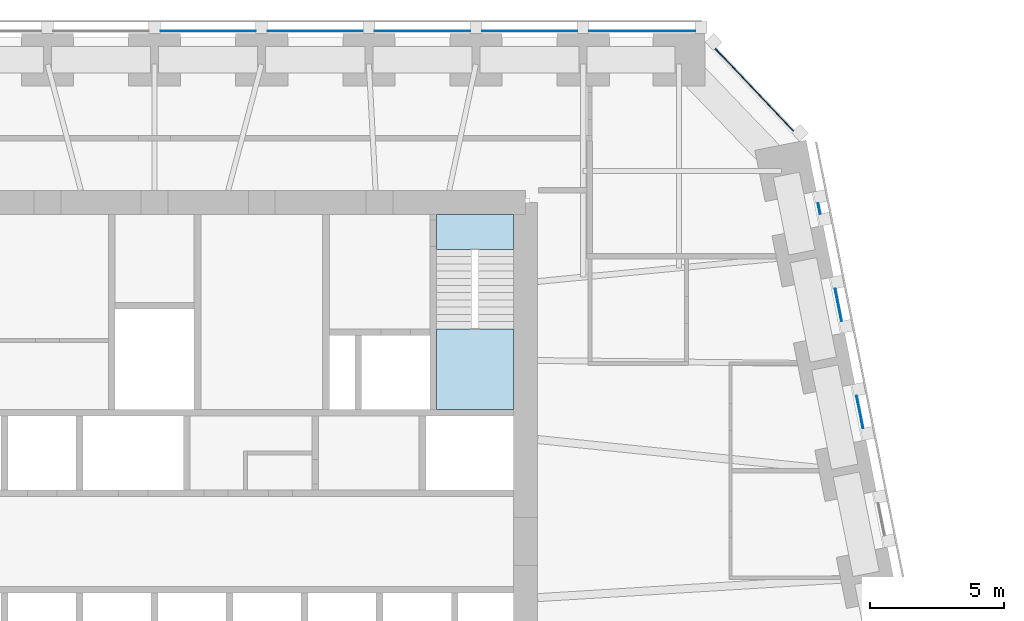
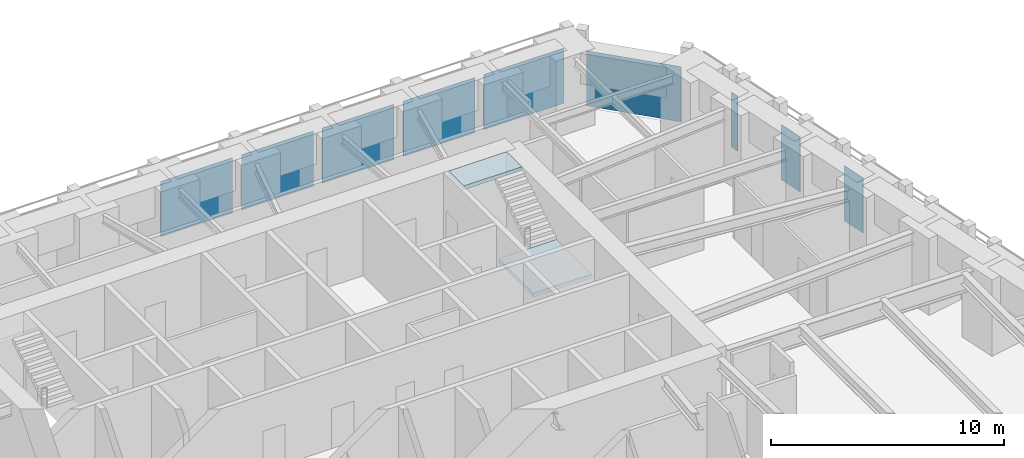
# One storey, part 10 of 16: 9 plates, 2 slabs, 6 elements without a shape of their own.
"""IFC4 building model written with IfcOpenShell, lengths in metres."""

from ifc_helpers import new_model, si_unit, direction, frame, origin, origin_2d, place, context, subcontext, project, spatial, polyline, rectangle, outline, extrude, material, layer, layer_set, type_object, element, aggregate, save


model = new_model("IFC4")

# Units and contexts
model_context = context("Model", 3, precision=1e-05, world=origin(), true_north=direction((0.0, 1.0)))
body_context = subcontext(model_context, "Body", "Model", "MODEL_VIEW")
ifc_project = project(units=[si_unit("LENGTHUNIT", "METRE"), si_unit("AREAUNIT", "SQUARE_METRE"), si_unit("VOLUMEUNIT", "CUBIC_METRE"), si_unit("PLANEANGLEUNIT", "RADIAN"), si_unit("MASSUNIT", "GRAM", prefix="KILO")], contexts=[model_context])

# Site, building, storey
site_placement = place(None, origin())
site = spatial("IfcSite", under=ifc_project, at=site_placement, CompositionType="ELEMENT")
building_placement = place(site_placement, origin())
building = spatial("IfcBuilding", under=site, at=building_placement, Name="Isbrekke Arena Tower", CompositionType="ELEMENT")
storey_placement = place(building_placement, frame((0.0, 0.0, 52.0)))
storey = spatial("IfcBuildingStorey", under=building, at=storey_placement, Name="L10", CompositionType="ELEMENT", Elevation=52.0)

# Curtain wall, plate
ifc_material_1 = material(Name="Glazed aluminium curtain wall", Category="aluminium")
curtain_wall_type = type_object("IfcCurtainWallType", Name="CWL TOWER CURTAIN WALL LOW ZONE", PredefinedType="USERDEFINED", material=ifc_material_1)
curtain_wall_1_placement = place(storey_placement, origin())
curtain_wall_1 = element("IfcCurtainWall", 1, at=curtain_wall_1_placement, inside=storey, type_object=curtain_wall_type, Name="CWL curtain wall L10-E15", ObjectType="TOWER CURTAIN WALL LOW ZONE", PredefinedType="USERDEFINED")
ifc_material_2 = material(Name="Triple-glazed clear glass unit", Category="glass")
ifc_layer_1 = layer(ifc_material_2, 0.031982421875)
ifc_layer_set_1 = layer_set([ifc_layer_1], Name="CWL-P VISION PANEL")
plate_type = type_object("IfcPlateType", Name="CWL-P VISION PANEL", PredefinedType="CURTAIN_PANEL", material=ifc_layer_set_1)
plate_1_placement = place(storey_placement, frame((26.322509765625, 16.0244140625, 0.02001953125), z_axis=(0.0, 0.0, 1.0), x_axis=(-0.196116135138, 0.980580675691, 0.0)))
plate_1 = element("IfcPlate", 2, at=plate_1_placement, type_object=plate_type, Name="CWL-P panel 1", PredefinedType="CURTAIN_PANEL", context=body_context, shape_type="SweptSolid", body=[
    extrude(rectangle(XDim=1.229248046875, YDim=0.031982421875, at=origin_2d()), origin(), (0.0, 0.0, 1.0), 2.8798828125),
])
aggregate(curtain_wall_1, [plate_1])

curtain_wall_2_placement = place(storey_placement, origin())
curtain_wall_2 = element("IfcCurtainWall", 3, at=curtain_wall_2_placement, inside=storey, type_object=curtain_wall_type, Name="CWL curtain wall L10-E17", ObjectType="TOWER CURTAIN WALL LOW ZONE", PredefinedType="USERDEFINED")
plate_2_placement = place(storey_placement, frame((25.5224609375, 20.0244140625, 0.02001953125), z_axis=(0.0, 0.0, 1.0), x_axis=(-0.196116135138, 0.980580675691, 0.0)))
plate_2 = element("IfcPlate", 4, at=plate_2_placement, type_object=plate_type, Name="CWL-P panel 1", PredefinedType="CURTAIN_PANEL", context=body_context, shape_type="SweptSolid", body=[
    extrude(rectangle(XDim=1.229248046875, YDim=0.031982421875, at=origin_2d()), origin(), (0.0, 0.0, 1.0), 2.8798828125),
])
aggregate(curtain_wall_2, [plate_2])

curtain_wall_3_placement = place(storey_placement, origin())
curtain_wall_3 = element("IfcCurtainWall", 5, at=curtain_wall_3_placement, inside=storey, type_object=curtain_wall_type, Name="CWL curtain wall L10-E19", ObjectType="TOWER CURTAIN WALL LOW ZONE", PredefinedType="USERDEFINED")
plate_3_placement = place(storey_placement, frame((24.80322265625, 23.62109375, 0.02001953125), z_axis=(0.0, 0.0, 1.0), x_axis=(-0.196116135138, 0.980580675691, 0.0)))
plate_3 = element("IfcPlate", 6, at=plate_3_placement, type_object=plate_type, Name="CWL-P panel 1", PredefinedType="CURTAIN_PANEL", context=body_context, shape_type="SweptSolid", body=[
    extrude(rectangle(XDim=0.40625, YDim=0.031982421875, at=origin_2d()), origin(), (0.0, 0.0, 1.0), 2.8798828125),
])
aggregate(curtain_wall_3, [plate_3])

curtain_wall_4_placement = place(storey_placement, origin())
curtain_wall_4 = element("IfcCurtainWall", 7, at=curtain_wall_4_placement, inside=storey, type_object=curtain_wall_type, Name="CWL curtain wall L10-EN", ObjectType="TOWER CURTAIN WALL LOW ZONE", PredefinedType="USERDEFINED")
plate_4_placement = place(storey_placement, frame((22.386474609375, 28.05419921875, 0.02001953125), z_axis=(0.0, 0.0, 1.0), x_axis=(-0.68874946192, 0.72499943359, 0.0)))
plate_4 = element("IfcPlate", 8, at=plate_4_placement, type_object=plate_type, Name="CWL-P panel 1", PredefinedType="CURTAIN_PANEL", context=body_context, shape_type="SweptSolid", body=[
    extrude(rectangle(XDim=4.22900390625, YDim=0.031982421875, at=origin_2d()), origin(), (0.0, 0.0, 1.0), 2.8798828125),
])
aggregate(curtain_wall_4, [plate_4])

# Curtain wall, plates
curtain_wall_5_placement = place(storey_placement, origin())
curtain_wall_5 = element("IfcCurtainWall", 9, at=curtain_wall_5_placement, inside=storey, type_object=curtain_wall_type, Name="CWL curtain wall L10-N", ObjectType="TOWER CURTAIN WALL LOW ZONE", PredefinedType="USERDEFINED")
plate_5_placement = place(storey_placement, frame((18.199951171875, 30.25, 0.02001953125), z_axis=(0.0, 0.0, 1.0), x_axis=(-1.0, 0.0, 0.0)))
plate_5 = element("IfcPlate", 10, at=plate_5_placement, type_object=plate_type, Name="CWL-P panel 1", PredefinedType="CURTAIN_PANEL", context=body_context, shape_type="SweptSolid", body=[
    extrude(rectangle(XDim=3.949951171875, YDim=0.031982421875, at=origin_2d()), origin(), (0.0, 0.0, 1.0), 2.8798828125),
])
plate_6_placement = place(storey_placement, frame((14.0, 30.25, 0.02001953125), z_axis=(0.0, 0.0, 1.0), x_axis=(-1.0, 0.0, 0.0)))
plate_6 = element("IfcPlate", 11, at=plate_6_placement, type_object=plate_type, Name="CWL-P panel 2", PredefinedType="CURTAIN_PANEL", context=body_context, shape_type="SweptSolid", body=[
    extrude(rectangle(XDim=3.550048828125, YDim=0.031982421875, at=origin_2d()), origin(), (0.0, 0.0, 1.0), 2.8798828125),
])
plate_7_placement = place(storey_placement, frame((10.0, 30.25, 0.02001953125), z_axis=(0.0, 0.0, 1.0), x_axis=(-1.0, 0.0, 0.0)))
plate_7 = element("IfcPlate", 12, at=plate_7_placement, type_object=plate_type, Name="CWL-P panel 3", PredefinedType="CURTAIN_PANEL", context=body_context, shape_type="SweptSolid", body=[
    extrude(rectangle(XDim=3.550048828125, YDim=0.031982421875, at=origin_2d()), origin(), (0.0, 0.0, 1.0), 2.8798828125),
])
plate_8_placement = place(storey_placement, frame((6.0, 30.25, 0.02001953125), z_axis=(0.0, 0.0, 1.0), x_axis=(-1.0, 0.0, 0.0)))
plate_8 = element("IfcPlate", 13, at=plate_8_placement, type_object=plate_type, Name="CWL-P panel 4", PredefinedType="CURTAIN_PANEL", context=body_context, shape_type="SweptSolid", body=[
    extrude(rectangle(XDim=3.550048828125, YDim=0.031982421875, at=origin_2d()), origin(), (0.0, 0.0, 1.0), 2.8798828125),
])
plate_9_placement = place(storey_placement, frame((2.0, 30.25, 0.02001953125), z_axis=(0.0, 0.0, 1.0), x_axis=(-1.0, 0.0, 0.0)))
plate_9 = element("IfcPlate", 14, at=plate_9_placement, type_object=plate_type, Name="CWL-P panel 5", PredefinedType="CURTAIN_PANEL", context=body_context, shape_type="SweptSolid", body=[
    extrude(rectangle(XDim=3.550048828125, YDim=0.031982421875, at=origin_2d()), origin(), (0.0, 0.0, 1.0), 2.8798828125),
])
aggregate(curtain_wall_5, [plate_5, plate_6, plate_7, plate_8, plate_9])

# Stair, slabs
ifc_material_3 = material(Name="Concrete B45 (C45/55) precast", Category="concrete")
stair_type = type_object("IfcStairType", Name="ST40 STAIR 1300 WIDE, 24 RISERS 167", PredefinedType="HALF_TURN_STAIR", material=ifc_material_3)
stair_placement = place(storey_placement, origin())
stair = element("IfcStair", 15, at=stair_placement, inside=storey, type_object=stair_type, Name="ST2 stair L10", PredefinedType="HALF_TURN_STAIR")
ifc_material_4 = material(Name="Concrete B35 (C35/45)", Category="concrete")
ifc_layer_2 = layer(ifc_material_4, 0.199951171875)
ifc_layer_set_2 = layer_set([ifc_layer_2], Name="SL1 STAIR LANDING 200")
slab_type = type_object("IfcSlabType", Name="SL1 STAIR LANDING 200", PredefinedType="LANDING", material=ifc_layer_set_2)
slab_1_placement = place(storey_placement, frame((0.0, 0.0, 1.800048828125)))
slab_1 = element("IfcSlab", 16, at=slab_1_placement, type_object=slab_type, Name="ST2 landing 1", PredefinedType="LANDING", context=body_context, shape_type="SweptSolid", body=[
    extrude(outline(polyline([(10.52490234375, 16.125), (13.39990234375, 16.125), (13.39990234375, 19.1298828125), (10.52490234375, 19.1298828125), (10.52490234375, 16.125)])), origin(), (0.0, 0.0, 1.0), 0.199951171875),
])
slab_2_placement = place(storey_placement, frame((0.0, 0.0, 3.800048828125)))
slab_2 = element("IfcSlab", 17, at=slab_2_placement, type_object=slab_type, Name="ST2 landing 2", PredefinedType="LANDING", context=body_context, shape_type="SweptSolid", body=[
    extrude(outline(polyline([(10.52490234375, 22.10009765625), (13.39990234375, 22.10009765625), (13.39990234375, 23.39990234375), (10.52490234375, 23.39990234375), (10.52490234375, 22.10009765625)])), origin(), (0.0, 0.0, 1.0), 0.199951171875),
])
aggregate(stair, [slab_1, slab_2])

save(model, "model.ifc")
